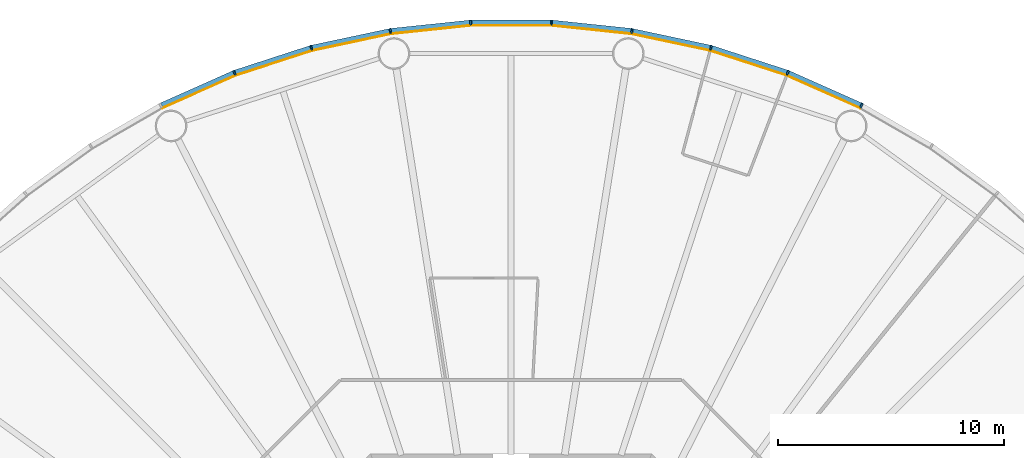
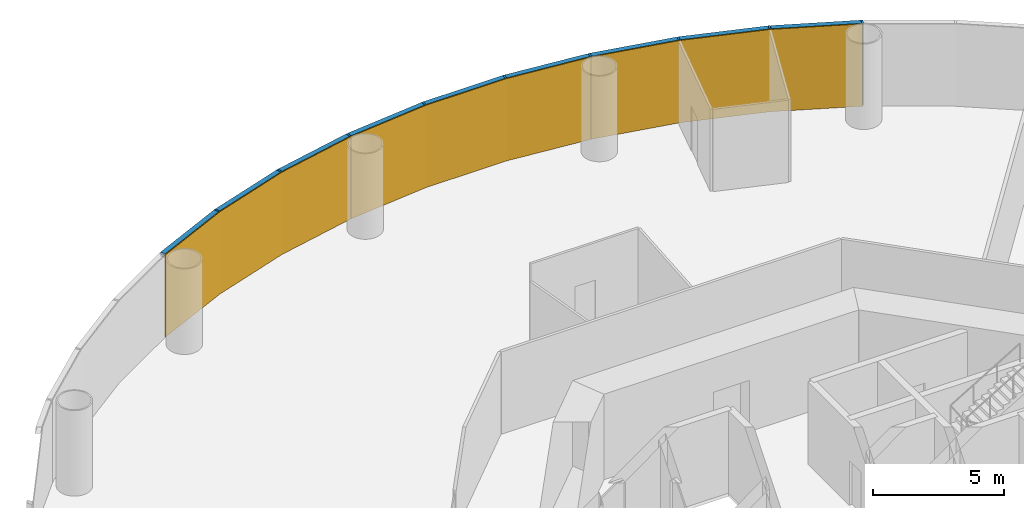
# One storey, part 12 of 13: 18 members, 3 curtain walls.
"""IFC4 building model written with IfcOpenShell, lengths in metres."""

from ifc_helpers import new_model, si_unit, direction, frame, origin, origin_2d, place, context, subcontext, project, spatial, polyline, rectangle, outline, extrude, material, layer, layer_set, material_profile, profile_set, type_object, element, aggregate, save


model = new_model("IFC4")

# Units and contexts
model_context = context("Model", 3, precision=1e-05, world=origin(), true_north=direction((0.0, 1.0)))
body_context = subcontext(model_context, "Body", "Model", "MODEL_VIEW")
ifc_project = project(units=[si_unit("LENGTHUNIT", "METRE"), si_unit("AREAUNIT", "SQUARE_METRE"), si_unit("VOLUMEUNIT", "CUBIC_METRE"), si_unit("PLANEANGLEUNIT", "RADIAN"), si_unit("MASSUNIT", "GRAM", prefix="KILO")], contexts=[model_context])

# Member
ifc_material_1 = material(Name="Anodised aluminium", Category="aluminium")
ifc_material_profile_1 = material_profile(ifc_material_1, rectangle(XDim=0.074951171875, YDim=0.219970703125, at=origin_2d()), Name="Mullion 75 x 220 mm anodised aluminium")
ifc_profile_set_1 = profile_set([ifc_material_profile_1], Name="Anodised aluminium")
member_type_1 = type_object("IfcMemberType", Name="Mullion 75 x 220 mm anodised aluminium", PredefinedType="MULLION", material=ifc_profile_set_1)
site_placement = place(None, origin())
building_placement = place(site_placement, origin())
storey_placement = place(building_placement, frame((0.0, 0.0, 46.0)))
member_1_placement = place(storey_placement, frame((105.485595703125, 110.392333984375, 0.0), z_axis=(0.0, 0.0, 1.0), x_axis=(-0.891006524188, 0.45399049974, 0.0)))
member_1 = element("IfcMember", 1, at=member_1_placement, type_object=member_type_1, Name="MULLION L09-09", PredefinedType="MULLION", context=body_context, shape_type="SweptSolid", body=[
    extrude(rectangle(XDim=0.074951171875, YDim=0.219970703125, at=origin_2d()), origin(), (0.0, 0.0, 1.0), 3.85009765625),
])

member_2_placement = place(storey_placement, frame((102.223876953125, 111.844482421875, 0.0), z_axis=(0.0, 0.0, 1.0), x_axis=(-0.933580426497, 0.358367949545, 0.0)))
member_2 = element("IfcMember", 2, at=member_2_placement, type_object=member_type_1, Name="MULLION L09-10", PredefinedType="MULLION", context=body_context, shape_type="SweptSolid", body=[
    extrude(rectangle(XDim=0.074951171875, YDim=0.219970703125, at=origin_2d()), origin(), (0.0, 0.0, 1.0), 3.85009765625),
])

member_3_placement = place(storey_placement, frame((98.828369140625, 112.94775390625, 0.0), z_axis=(0.0, 0.0, 1.0), x_axis=(-0.965925826289, 0.258819045103, 0.0)))
member_3 = element("IfcMember", 3, at=member_3_placement, type_object=member_type_1, Name="MULLION L09-11", PredefinedType="MULLION", context=body_context, shape_type="SweptSolid", body=[
    extrude(rectangle(XDim=0.074951171875, YDim=0.219970703125, at=origin_2d()), origin(), (0.0, 0.0, 1.0), 3.85009765625),
])

member_4_placement = place(storey_placement, frame((95.3359375, 113.68994140625, 0.0), z_axis=(0.0, 0.0, 1.0), x_axis=(-0.987688340595, 0.15643446504, 0.0)))
member_4 = element("IfcMember", 4, at=member_4_placement, type_object=member_type_1, Name="MULLION L09-12", PredefinedType="MULLION", context=body_context, shape_type="SweptSolid", body=[
    extrude(rectangle(XDim=0.074951171875, YDim=0.219970703125, at=origin_2d()), origin(), (0.0, 0.0, 1.0), 3.85009765625),
])

member_5_placement = place(storey_placement, frame((91.78515625, 114.063232421875, 0.0), z_axis=(0.0, 0.0, 1.0), x_axis=(-0.998629534755, 0.052335956243, 0.0)))
member_5 = element("IfcMember", 5, at=member_5_placement, type_object=member_type_1, Name="MULLION L09-13", PredefinedType="MULLION", context=body_context, shape_type="SweptSolid", body=[
    extrude(rectangle(XDim=0.074951171875, YDim=0.219970703125, at=origin_2d()), origin(), (0.0, 0.0, 1.0), 3.85009765625),
])

member_6_placement = place(storey_placement, frame((88.21484375, 114.063232421875, 0.0), z_axis=(0.0, 0.0, 1.0), x_axis=(-0.998629534755, -0.052335956243, 0.0)))
member_6 = element("IfcMember", 6, at=member_6_placement, type_object=member_type_1, Name="MULLION L09-14", PredefinedType="MULLION", context=body_context, shape_type="SweptSolid", body=[
    extrude(rectangle(XDim=0.074951171875, YDim=0.219970703125, at=origin_2d()), origin(), (0.0, 0.0, 1.0), 3.85009765625),
])

member_7_placement = place(storey_placement, frame((84.6640625, 113.68994140625, 0.0), z_axis=(0.0, 0.0, 1.0), x_axis=(-0.987688340595, -0.15643446504, 0.0)))
member_7 = element("IfcMember", 7, at=member_7_placement, type_object=member_type_1, Name="MULLION L09-15", PredefinedType="MULLION", context=body_context, shape_type="SweptSolid", body=[
    extrude(rectangle(XDim=0.074951171875, YDim=0.219970703125, at=origin_2d()), origin(), (0.0, 0.0, 1.0), 3.85009765625),
])

member_8_placement = place(storey_placement, frame((81.171630859375, 112.94775390625, 0.0), z_axis=(0.0, 0.0, 1.0), x_axis=(-0.965925826289, -0.258819045103, 0.0)))
member_8 = element("IfcMember", 8, at=member_8_placement, type_object=member_type_1, Name="MULLION L09-16", PredefinedType="MULLION", context=body_context, shape_type="SweptSolid", body=[
    extrude(rectangle(XDim=0.074951171875, YDim=0.219970703125, at=origin_2d()), origin(), (0.0, 0.0, 1.0), 3.85009765625),
])

member_9_placement = place(storey_placement, frame((77.776123046875, 111.844482421875, 0.0), z_axis=(0.0, 0.0, 1.0), x_axis=(-0.933580426497, -0.358367949545, 0.0)))
member_9 = element("IfcMember", 9, at=member_9_placement, type_object=member_type_1, Name="MULLION L09-17", PredefinedType="MULLION", context=body_context, shape_type="SweptSolid", body=[
    extrude(rectangle(XDim=0.074951171875, YDim=0.219970703125, at=origin_2d()), origin(), (0.0, 0.0, 1.0), 3.85009765625),
])

ifc_material_2 = material(Name="Anodised aluminium", Category="aluminium")
ifc_material_profile_2 = material_profile(ifc_material_2, rectangle(XDim=0.219970703125, YDim=0.199951171875, at=origin_2d()), Name="Transom 200 x 220 mm anodised aluminium")
ifc_profile_set_2 = profile_set([ifc_material_profile_2], Name="Anodised aluminium")
member_type_2 = type_object("IfcMemberType", Name="Transom 200 x 220 mm anodised aluminium", PredefinedType="USERDEFINED", material=ifc_profile_set_2)
member_10_placement = place(storey_placement, frame((105.446044921875, 110.409912109375, 3.75), z_axis=(-0.913545487371, 0.406736576304, 0.0), x_axis=(-0.406736576304, -0.913545487371, 0.0)))
member_10 = element("IfcMember", 10, at=member_10_placement, type_object=member_type_2, Name="TRANSOM L09-09", ObjectType="TRANSOM", PredefinedType="USERDEFINED", context=body_context, shape_type="SweptSolid", body=[
    extrude(rectangle(XDim=0.219970703125, YDim=0.199951171875, at=origin_2d()), origin(), (0.0, 0.0, 1.0), 3.48388671875),
])

member_11_placement = place(storey_placement, frame((102.182861328125, 111.85791015625, 3.75), z_axis=(-0.951052605696, 0.309029029702, 0.0), x_axis=(-0.309029029702, -0.951052605696, 0.0)))
member_11 = element("IfcMember", 11, at=member_11_placement, type_object=member_type_2, Name="TRANSOM L09-10", ObjectType="TRANSOM", PredefinedType="USERDEFINED", context=body_context, shape_type="SweptSolid", body=[
    extrude(rectangle(XDim=0.219970703125, YDim=0.199951171875, at=origin_2d()), origin(), (0.0, 0.0, 1.0), 3.484130859375),
])

member_12_placement = place(storey_placement, frame((98.7861328125, 112.956787109375, 3.75), z_axis=(-0.978145669426, 0.207920776701, 0.0), x_axis=(-0.207920776701, -0.978145669426, 0.0)))
member_12 = element("IfcMember", 12, at=member_12_placement, type_object=member_type_2, Name="TRANSOM L09-11", ObjectType="TRANSOM", PredefinedType="USERDEFINED", context=body_context, shape_type="SweptSolid", body=[
    extrude(rectangle(XDim=0.219970703125, YDim=0.199951171875, at=origin_2d()), origin(), (0.0, 0.0, 1.0), 3.48388671875),
])

member_13_placement = place(storey_placement, frame((95.29296875, 113.69482421875, 3.75), z_axis=(-0.994526551648, 0.104484152234, 0.0), x_axis=(-0.104484152234, -0.994526551648, 0.0)))
member_13 = element("IfcMember", 13, at=member_13_placement, type_object=member_type_2, Name="TRANSOM L09-12", ObjectType="TRANSOM", PredefinedType="USERDEFINED", context=body_context, shape_type="SweptSolid", body=[
    extrude(rectangle(XDim=0.219970703125, YDim=0.199951171875, at=origin_2d()), origin(), (0.0, 0.0, 1.0), 3.48388671875),
])

member_14_placement = place(storey_placement, frame((91.741943359375, 114.0634765625, 3.75), z_axis=(-1.0, 0.0, 0.0), x_axis=(0.0, -1.0, 0.0)))
member_14 = element("IfcMember", 14, at=member_14_placement, type_object=member_type_2, Name="TRANSOM L09-13", ObjectType="TRANSOM", PredefinedType="USERDEFINED", context=body_context, shape_type="SweptSolid", body=[
    extrude(rectangle(XDim=0.219970703125, YDim=0.199951171875, at=origin_2d()), origin(), (0.0, 0.0, 1.0), 3.48388671875),
])

member_15_placement = place(storey_placement, frame((88.171875, 114.058837890625, 3.75), z_axis=(-0.994526551648, -0.104484152234, 0.0), x_axis=(0.104484152234, -0.994526551648, 0.0)))
member_15 = element("IfcMember", 15, at=member_15_placement, type_object=member_type_2, Name="TRANSOM L09-14", ObjectType="TRANSOM", PredefinedType="USERDEFINED", context=body_context, shape_type="SweptSolid", body=[
    extrude(rectangle(XDim=0.219970703125, YDim=0.199951171875, at=origin_2d()), origin(), (0.0, 0.0, 1.0), 3.48388671875),
])

member_16_placement = place(storey_placement, frame((84.62158203125, 113.68115234375, 3.75), z_axis=(-0.978145669426, -0.207920776701, 0.0), x_axis=(0.207920776701, -0.978145669426, 0.0)))
member_16 = element("IfcMember", 16, at=member_16_placement, type_object=member_type_2, Name="TRANSOM L09-15", ObjectType="TRANSOM", PredefinedType="USERDEFINED", context=body_context, shape_type="SweptSolid", body=[
    extrude(rectangle(XDim=0.219970703125, YDim=0.199951171875, at=origin_2d()), origin(), (0.0, 0.0, 1.0), 3.48388671875),
])

member_17_placement = place(storey_placement, frame((81.130615234375, 112.9345703125, 3.75), z_axis=(-0.951052605696, -0.309029029702, 0.0), x_axis=(0.309029029702, -0.951052605696, 0.0)))
member_17 = element("IfcMember", 17, at=member_17_placement, type_object=member_type_2, Name="TRANSOM L09-16", ObjectType="TRANSOM", PredefinedType="USERDEFINED", context=body_context, shape_type="SweptSolid", body=[
    extrude(rectangle(XDim=0.219970703125, YDim=0.199951171875, at=origin_2d()), origin(), (0.0, 0.0, 1.0), 3.484130859375),
])

member_18_placement = place(storey_placement, frame((77.736572265625, 111.826904296875, 3.75), z_axis=(-0.913545487371, -0.406736576304, 0.0), x_axis=(0.406736576304, -0.913545487371, 0.0)))
member_18 = element("IfcMember", 18, at=member_18_placement, type_object=member_type_2, Name="TRANSOM L09-17", ObjectType="TRANSOM", PredefinedType="USERDEFINED", context=body_context, shape_type="SweptSolid", body=[
    extrude(rectangle(XDim=0.219970703125, YDim=0.199951171875, at=origin_2d()), origin(), (0.0, 0.0, 1.0), 3.48388671875),
])

# Site, building, storey
site = spatial("IfcSite", under=ifc_project, at=site_placement, CompositionType="ELEMENT")
building = spatial("IfcBuilding", under=site, at=building_placement, Name="Entoto Ring Tower", CompositionType="ELEMENT")
storey = spatial("IfcBuildingStorey", under=building, at=storey_placement, Name="L09", CompositionType="ELEMENT", Elevation=46.0)

# Curtain wall
ifc_material_3 = material(Name="Clear low-iron glass", Category="glass")
ifc_layer = layer(ifc_material_3, 0.0400390625)
ifc_layer_set = layer_set([ifc_layer], Name="Clear low-iron glass")
curtain_wall_type = type_object("IfcCurtainWallType", Name="Curtain wall system CW1 glazing 40 mm", PredefinedType="NOTDEFINED", material=ifc_layer_set)
curtain_wall_1_placement = place(storey_placement, origin())
curtain_wall_1 = element("IfcCurtainWall", 19, at=curtain_wall_1_placement, inside=storey, type_object=curtain_wall_type, Name="CW1 L09-04", PredefinedType="NOTDEFINED", context=body_context, shape_type="SweptSolid", body=[
    extrude(outline(polyline([(105.435791015625, 110.294189453125), (102.1845703125, 111.74169921875), (98.7998046875, 112.841552734375), (95.31884765625, 113.581298828125), (95.3125, 113.541748046875), (98.78955078125, 112.802734375), (102.170166015625, 111.704345703125), (105.41748046875, 110.258544921875), (105.435791015625, 110.294189453125)])), origin(), (0.0, 0.0, 1.0), 3.85009765625),
])

aggregate(curtain_wall_1, [member_1, member_2, member_3, member_10, member_11, member_12])

curtain_wall_2_placement = place(storey_placement, origin())
curtain_wall_2 = element("IfcCurtainWall", 20, at=curtain_wall_2_placement, inside=storey, type_object=curtain_wall_type, Name="CW1 L09-05", PredefinedType="NOTDEFINED", context=body_context, shape_type="SweptSolid", body=[
    extrude(outline(polyline([(95.31884765625, 113.581298828125), (91.779541015625, 113.953369140625), (88.220458984375, 113.953369140625), (84.68115234375, 113.581298828125), (84.6875, 113.541748046875), (88.22265625, 113.913330078125), (91.77734375, 113.913330078125), (95.3125, 113.541748046875), (95.31884765625, 113.581298828125)])), origin(), (0.0, 0.0, 1.0), 3.85009765625),
])

aggregate(curtain_wall_2, [member_4, member_5, member_6, member_13, member_14, member_15])

curtain_wall_3_placement = place(storey_placement, origin())
curtain_wall_3 = element("IfcCurtainWall", 21, at=curtain_wall_3_placement, inside=storey, type_object=curtain_wall_type, Name="CW1 L09-06", PredefinedType="NOTDEFINED", context=body_context, shape_type="SweptSolid", body=[
    extrude(outline(polyline([(84.68115234375, 113.581298828125), (81.2001953125, 112.841552734375), (77.8154296875, 111.74169921875), (74.564208984375, 110.294189453125), (74.58251953125, 110.258544921875), (77.829833984375, 111.704345703125), (81.21044921875, 112.802734375), (84.6875, 113.541748046875), (84.68115234375, 113.581298828125)])), origin(), (0.0, 0.0, 1.0), 3.85009765625),
])

aggregate(curtain_wall_3, [member_7, member_8, member_9, member_16, member_17, member_18])

save(model, "model.ifc")
